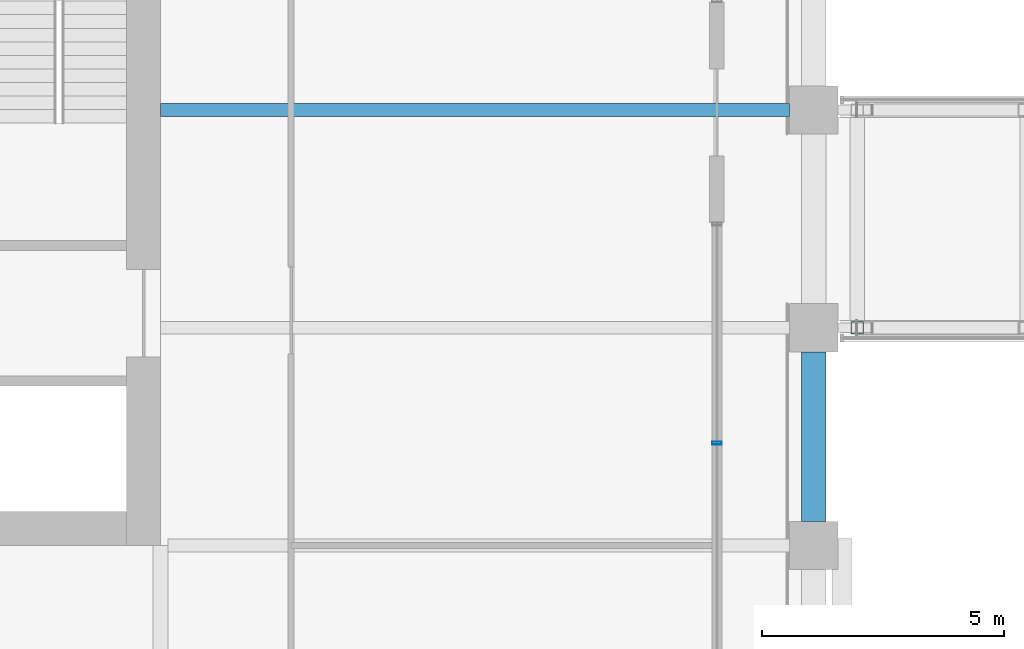
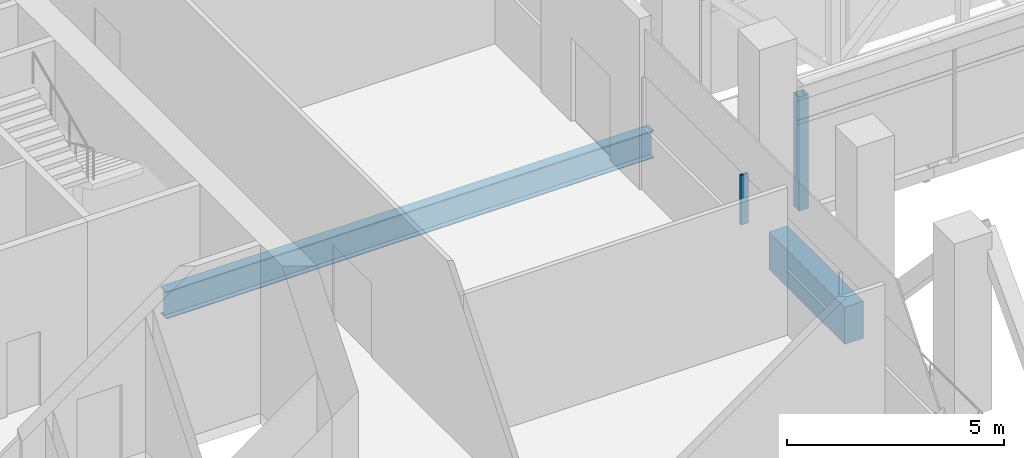
# One storey, part 10 of 48: 2 beams, 2 members, 1 element without a shape of its own.
"""IFC4 building model written with IfcOpenShell, lengths in metres."""

from ifc_helpers import new_model, si_unit, direction, frame, origin, origin_2d, place, context, subcontext, project, spatial, rectangle, hollow_rectangle, i_section, extrude, material, material_profile, profile_set, type_object, element, aggregate, save


model = new_model("IFC4")

# Units and contexts
model_context = context("Model", 3, precision=1e-05, world=origin(), true_north=direction((0.0, 1.0)))
body_context = subcontext(model_context, "Body", "Model", "MODEL_VIEW")
ifc_project = project(units=[si_unit("LENGTHUNIT", "METRE"), si_unit("AREAUNIT", "SQUARE_METRE"), si_unit("VOLUMEUNIT", "CUBIC_METRE"), si_unit("PLANEANGLEUNIT", "RADIAN"), si_unit("MASSUNIT", "GRAM", prefix="KILO")], contexts=[model_context])

# Site, building, storey
site_placement = place(None, origin())
site = spatial("IfcSite", under=ifc_project, at=site_placement, CompositionType="ELEMENT")
building_placement = place(site_placement, origin())
building = spatial("IfcBuilding", under=site, at=building_placement, Name="Altepetl Exchange Towers", CompositionType="ELEMENT")
storey_placement = place(building_placement, frame((0.0, 0.0, 138.800048828125)))
storey = spatial("IfcBuildingStorey", under=building, at=storey_placement, Name="L34 Refuge and sky lobby", CompositionType="ELEMENT", Elevation=138.800048828125)

# Member
ifc_material_1 = material(Name="Steel S355", Category="steel")
ifc_material_profile_1 = material_profile(ifc_material_1, hollow_rectangle(XDim=0.25390625, YDim=0.25390625, WallThickness=0.01171875, at=origin_2d()), Name="HSS254X254X12.7")
ifc_profile_set_1 = profile_set([ifc_material_profile_1], Name="Steel S355")
member_type_1 = type_object("IfcMemberType", Name="Bridge post HSS254X254X12.7", PredefinedType="POST", material=ifc_profile_set_1)
member_1_placement = place(storey_placement, frame((72.89990234375, 45.0, -0.199951171875)))
element("IfcMember", 1, at=member_1_placement, inside=storey, type_object=member_type_1, Name="tr:X:L34:ps-s0", PredefinedType="POST", context=body_context, shape_type="SweptSolid", body=[
    extrude(hollow_rectangle(XDim=0.25390625, YDim=0.25390625, WallThickness=0.01171875, at=origin_2d()), origin(), (0.0, 0.0, 1.0), 3.199951171875),
])

# Beam
ifc_material_profile_2 = material_profile(ifc_material_1, i_section(OverallWidth=0.26806640625, OverallDepth=0.77392578125, WebThickness=0.015380859375, FlangeThickness=0.025390625, at=origin_2d()), Name="W30X132")
ifc_profile_set_2 = profile_set([ifc_material_profile_2], Name="Steel S355")
beam_type_1 = type_object("IfcBeamType", Name="Floor beam W30X132", PredefinedType="BEAM", material=ifc_profile_set_2)
beam_1_placement = place(storey_placement, frame((58.5, 49.5, -0.587158203125), z_axis=(1.0, 0.0, 0.0), x_axis=(0.0, 1.0, 0.0)))
element("IfcBeam", 2, at=beam_1_placement, inside=storey, type_object=beam_type_1, Name="bm:A:L34:010", PredefinedType="BEAM", context=body_context, shape_type="SweptSolid", body=[
    extrude(i_section(OverallWidth=0.26806640625, OverallDepth=0.77392578125, WebThickness=0.015380859375, FlangeThickness=0.025390625, at=origin_2d()), origin(), (0.0, 0.0, 1.0), 13.0),
])

# Curtain wall, member
ifc_material_2 = material(Name="Aluminium 6063-T6 glazing", Category="aluminium")
curtain_wall_type = type_object("IfcCurtainWallType", Name="Refuge slit glazing system", PredefinedType="NOTDEFINED", material=ifc_material_2)
curtain_wall_placement = place(storey_placement, origin())
curtain_wall = element("IfcCurtainWall", 3, at=curtain_wall_placement, inside=storey, type_object=curtain_wall_type, Name="CW3 run", PredefinedType="NOTDEFINED")
ifc_material_3 = material(Name="Aluminium 6063-T6", Category="aluminium")
ifc_material_profile_3 = material_profile(ifc_material_3, hollow_rectangle(XDim=0.06005859375, YDim=0.199951171875, WallThickness=0.0029296875, at=origin_2d()), Name="Mullion 60x200 aluminium")
ifc_profile_set_3 = profile_set([ifc_material_profile_3], Name="Aluminium 6063-T6")
member_type_2 = type_object("IfcMemberType", Name="Mullion 60x200 aluminium", PredefinedType="MULLION", material=ifc_profile_set_3)
member_2_placement = place(storey_placement, frame((70.0, 42.6142578125, 1.800048828125), z_axis=(0.0, 0.0, 1.0), x_axis=(0.0, 1.0, 0.0)))
member_2 = element("IfcMember", 4, at=member_2_placement, type_object=member_type_2, Name="MU2 mullion", PredefinedType="MULLION", context=body_context, shape_type="SweptSolid", body=[
    extrude(hollow_rectangle(XDim=0.06005859375, YDim=0.199951171875, WallThickness=0.0029296875, at=origin_2d()), origin(), (0.0, 0.0, 1.0), 1.39990234375),
])
aggregate(curtain_wall, [member_2])

# Beam
ifc_material_4 = material(Name="Concrete C50/60 precast with cantera amarilla facing", Category="concrete")
ifc_material_profile_4 = material_profile(ifc_material_4, rectangle(XDim=0.5, YDim=1.050048828125, at=origin_2d()), Name="500 x 1050")
ifc_profile_set_4 = profile_set([ifc_material_profile_4], Name="Concrete C50/60 precast with cantera amarilla facing")
beam_type_2 = type_object("IfcBeamType", Name="Spandrel beam 500x1050 cantera amarilla", PredefinedType="SPANDREL", material=ifc_profile_set_4)
beam_2_placement = place(storey_placement, frame((72.0, 41.0, -0.72509765625), z_axis=(0.0, 1.0, 0.0), x_axis=(-1.0, 0.0, 0.0)))
element("IfcBeam", 5, at=beam_2_placement, inside=storey, type_object=beam_type_2, Name="sp:A:L34:014", PredefinedType="SPANDREL", context=body_context, shape_type="SweptSolid", body=[
    extrude(rectangle(XDim=0.5, YDim=1.050048828125, at=origin_2d()), origin(), (0.0, 0.0, 1.0), 3.5),
])

save(model, "model.ifc")
